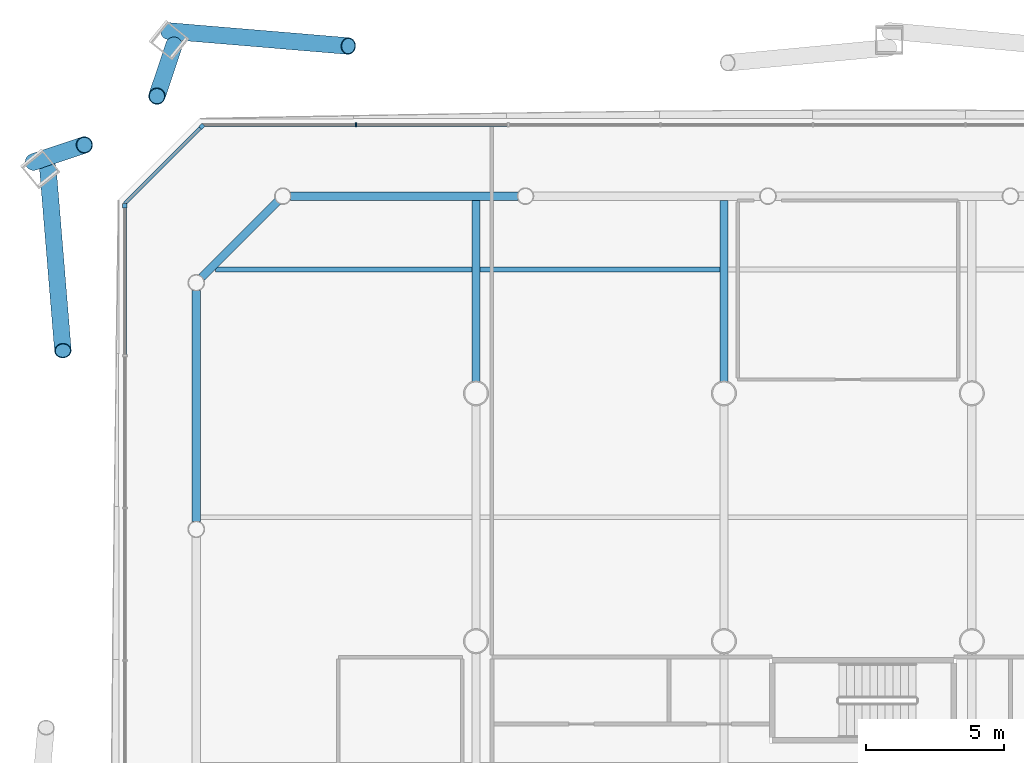
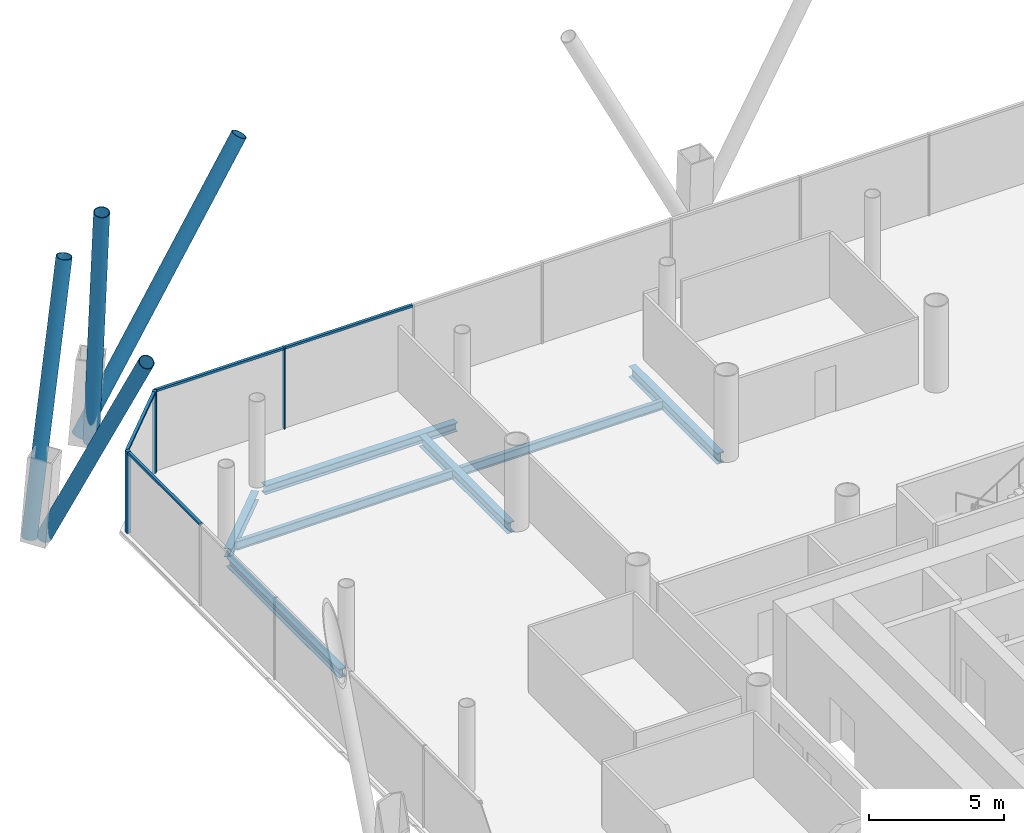
# One storey, part 11 of 25: 11 members, 7 beams, 3 elements without a shape of their own.
"""IFC4 building model written with IfcOpenShell, lengths in metres."""

from ifc_helpers import new_model, si_unit, direction, frame, origin, origin_2d, place, context, subcontext, project, spatial, rectangle, hollow_circle, i_section, extrude, material, material_profile, profile_set, type_object, element, aggregate, save


model = new_model("IFC4")

# Units and contexts
model_context = context("Model", 3, precision=1e-05, world=origin(), true_north=direction((0.0, 1.0)))
body_context = subcontext(model_context, "Body", "Model", "MODEL_VIEW")
ifc_project = project(units=[si_unit("LENGTHUNIT", "METRE"), si_unit("AREAUNIT", "SQUARE_METRE"), si_unit("VOLUMEUNIT", "CUBIC_METRE"), si_unit("PLANEANGLEUNIT", "RADIAN"), si_unit("MASSUNIT", "GRAM", prefix="KILO")], contexts=[model_context])

# Site, building, storey
site_placement = place(None, origin())
site = spatial("IfcSite", under=ifc_project, at=site_placement, CompositionType="ELEMENT")
building_placement = place(site_placement, origin())
building = spatial("IfcBuilding", under=site, at=building_placement, Name="Tskaro Facet Tower", CompositionType="ELEMENT")
storey_placement = place(building_placement, frame((0.0, 0.0, 10.800048828125)))
storey = spatial("IfcBuildingStorey", under=building, at=storey_placement, Name="L01", CompositionType="ELEMENT", Elevation=10.800048828125)

# Members
ifc_material_1 = material(Name="Steel S355J2H", Category="steel")
ifc_material_profile_1 = material_profile(ifc_material_1, hollow_circle(Radius=0.304931640625, WallThickness=0.030029296875, at=origin_2d()), Name="CHS 610x30")
ifc_profile_set_1 = profile_set([ifc_material_profile_1], Name="Steel S355J2H")
member_type_1 = type_object("IfcMemberType", Name="CHS 610x30 brace", PredefinedType="BRACE", material=ifc_profile_set_1)
member_1_placement = place(storey_placement, frame((-29.180908203125, 31.155029296875, 0.0), z_axis=(0.487809665063, -0.040831246537, 0.871994575658), x_axis=(0.083411543722, 0.99651518522, 0.0)))
element("IfcMember", 1, at=member_1_placement, inside=storey, type_object=member_type_1, Name="CHS 610x30 XB08B/1", PredefinedType="BRACE", context=body_context, shape_type="SweptSolid", body=[
    extrude(hollow_circle(Radius=0.304931640625, WallThickness=0.030029296875, at=origin_2d()), origin(), (0.0, 0.0, 1.0), 13.41748046875),
])
for number, where, z_axis, x_axis, name in (
    (2, (-28.96533203125, 30.63427734375, 0.0), (-0.052220393468, -0.155693754903, 0.986424089928), (0.948092540926, -0.317994550017, 0.0), "CHS 610x30 XB09A/1"),
    (3, (-34.065673828125, 26.396728515625, 0.0), (0.155693754903, 0.052220393468, 0.986424089928), (-0.317994550017, 0.948092540926, 0.0), "CHS 610x30 XB09B/1"),
):
    element("IfcMember", number, at=place(storey_placement, frame(where, z_axis=z_axis, x_axis=x_axis)), inside=storey, type_object=member_type_1, Name=name, PredefinedType="BRACE", context=body_context, shape_type="SweptSolid", body=[
        extrude(hollow_circle(Radius=0.304931640625, WallThickness=0.030029296875, at=origin_2d()), origin(), (0.0, 0.0, 1.0), 11.861083984375),
    ])
member_2_placement = place(storey_placement, frame((-33.544921875, 26.180908203125, 0.0), z_axis=(0.040679876712, -0.492873976606, 0.869149233915), x_axis=(0.996611203377, 0.082256363305, 0.0)))
element("IfcMember", 4, at=member_2_placement, inside=storey, type_object=member_type_1, Name="CHS 610x30 XB10A/1", PredefinedType="BRACE", context=body_context, shape_type="SweptSolid", body=[
    extrude(hollow_circle(Radius=0.304931640625, WallThickness=0.030029296875, at=origin_2d()), origin(), (0.0, 0.0, 1.0), 13.46142578125),
])

# Curtain wall, member
ifc_material_2 = material(Name="Bronze anodised aluminium 6063-T6", Category="aluminium")
curtain_wall_type = type_object("IfcCurtainWallType", Name="Bronze office curtain wall (FW1)", PredefinedType="NOTDEFINED", material=ifc_material_2)
curtain_wall_1_placement = place(storey_placement, origin())
curtain_wall_1 = element("IfcCurtainWall", 5, at=curtain_wall_1_placement, inside=storey, type_object=curtain_wall_type, Name="FW1 north-west facet L01", PredefinedType="NOTDEFINED")
ifc_material_profile_2 = material_profile(ifc_material_2, rectangle(XDim=0.159912109375, YDim=0.159912109375, at=origin_2d()), Name="Corner post 160x160")
ifc_profile_set_2 = profile_set([ifc_material_profile_2], Name="Bronze anodised aluminium 6063-T6")
member_type_2 = type_object("IfcMemberType", Name="FW1 bronze corner post 160x160", PredefinedType="MULLION", material=ifc_profile_set_2)
member_3_placement = place(storey_placement, frame((-27.95263671875, 27.693359375, 0.0), z_axis=(0.0, 0.0, 1.0), x_axis=(-0.707106781187, -0.707106781187, 0.0)))
member_3 = element("IfcMember", 6, at=member_3_placement, type_object=member_type_2, Name="FW1 north-west corner post", PredefinedType="MULLION", context=body_context, shape_type="SweptSolid", body=[
    extrude(rectangle(XDim=0.159912109375, YDim=0.159912109375, at=origin_2d()), origin(), (0.0, 0.0, 1.0), 3.699951171875),
])

curtain_wall_2_placement = place(storey_placement, origin())
curtain_wall_2 = element("IfcCurtainWall", 7, at=curtain_wall_2_placement, inside=storey, type_object=curtain_wall_type, Name="FW1 west facet L01", PredefinedType="NOTDEFINED")
member_4_placement = place(storey_placement, frame((-30.75, 24.81591796875, 0.0), z_axis=(0.0, 0.0, 1.0), x_axis=(0.0, -1.0, 0.0)))
member_4 = element("IfcMember", 8, at=member_4_placement, type_object=member_type_2, Name="FW1 west corner post", PredefinedType="MULLION", context=body_context, shape_type="SweptSolid", body=[
    extrude(rectangle(XDim=0.159912109375, YDim=0.159912109375, at=origin_2d()), origin(), (0.0, 0.0, 1.0), 3.699951171875),
])

# Curtain wall, members
curtain_wall_3_placement = place(storey_placement, origin())
curtain_wall_3 = element("IfcCurtainWall", 9, at=curtain_wall_3_placement, inside=storey, type_object=curtain_wall_type, Name="FW1 north facet L01", PredefinedType="NOTDEFINED")
ifc_material_profile_3 = material_profile(ifc_material_2, rectangle(XDim=0.06005859375, YDim=0.159912109375, at=origin_2d()), Name="Mullion 60x160")
ifc_profile_set_3 = profile_set([ifc_material_profile_3], Name="Bronze anodised aluminium 6063-T6")
member_type_3 = type_object("IfcMemberType", Name="FW1 bronze mullion 60x160", PredefinedType="MULLION", material=ifc_profile_set_3)
member_5_placement = place(storey_placement, frame((-22.363525390625, 27.75, 0.0), z_axis=(0.0, 0.0, 1.0), x_axis=(-1.0, 0.0, 0.0)))
member_5 = element("IfcMember", 10, at=member_5_placement, type_object=member_type_3, Name="FW1 north mullion 8", PredefinedType="MULLION", context=body_context, shape_type="SweptSolid", body=[
    extrude(rectangle(XDim=0.06005859375, YDim=0.159912109375, at=origin_2d()), origin(), (0.0, 0.0, 1.0), 3.699951171875),
])
ifc_material_profile_4 = material_profile(ifc_material_2, rectangle(XDim=0.1201171875, YDim=0.10009765625, at=origin_2d()), Name="Transom 120x100")
ifc_profile_set_4 = profile_set([ifc_material_profile_4], Name="Bronze anodised aluminium 6063-T6")
member_type_4 = type_object("IfcMemberType", Name="FW1 bronze transom 120x100", PredefinedType="USERDEFINED", material=ifc_profile_set_4)
member_6_placement = place(storey_placement, frame((-16.861083984375, 27.75, 3.64990234375), z_axis=(-1.0, 0.0, 0.0), x_axis=(0.0, -1.0, 0.0)))
member_6 = element("IfcMember", 11, at=member_6_placement, type_object=member_type_4, Name="FW1 north transom 8.1", ObjectType="TRANSOM", PredefinedType="USERDEFINED", context=body_context, shape_type="SweptSolid", body=[
    extrude(rectangle(XDim=0.1201171875, YDim=0.10009765625, at=origin_2d()), origin(), (0.0, 0.0, 1.0), 5.472412109375),
])
member_7_placement = place(storey_placement, frame((-22.3935546875, 27.75, 3.64990234375), z_axis=(-1.0, 0.0, 0.0), x_axis=(0.0, -1.0, 0.0)))
member_7 = element("IfcMember", 12, at=member_7_placement, type_object=member_type_4, Name="FW1 north transom 9.1", ObjectType="TRANSOM", PredefinedType="USERDEFINED", context=body_context, shape_type="SweptSolid", body=[
    extrude(rectangle(XDim=0.1201171875, YDim=0.10009765625, at=origin_2d()), origin(), (0.0, 0.0, 1.0), 5.50244140625),
])
aggregate(curtain_wall_3, [member_5, member_6, member_7])

# Member
member_8_placement = place(storey_placement, frame((-28.009033203125, 27.636962890625, 3.64990234375), z_axis=(-0.707106781187, -0.707106781187, 0.0), x_axis=(0.707106781187, -0.707106781187, 0.0)))
member_8 = element("IfcMember", 13, at=member_8_placement, type_object=member_type_4, Name="FW1 north-west transom 1.1", ObjectType="TRANSOM", PredefinedType="USERDEFINED", context=body_context, shape_type="SweptSolid", body=[
    extrude(rectangle(XDim=0.1201171875, YDim=0.10009765625, at=origin_2d()), origin(), (0.0, 0.0, 1.0), 3.876220703125),
])

aggregate(curtain_wall_1, [member_3, member_8])

member_9_placement = place(storey_placement, frame((-30.75, 24.736083984375, 3.64990234375), z_axis=(0.0, -1.0, 0.0), x_axis=(1.0, 0.0, 0.0)))
member_9 = element("IfcMember", 14, at=member_9_placement, type_object=member_type_4, Name="FW1 west transom 1.1", ObjectType="TRANSOM", PredefinedType="USERDEFINED", context=body_context, shape_type="SweptSolid", body=[
    extrude(rectangle(XDim=0.1201171875, YDim=0.10009765625, at=origin_2d()), origin(), (0.0, 0.0, 1.0), 5.342529296875),
])

aggregate(curtain_wall_2, [member_4, member_9])

# Beams
ifc_material_3 = material(Name="Steel S355J2", Category="steel")
ifc_material_profile_5 = material_profile(ifc_material_3, i_section(OverallWidth=0.300048828125, OverallDepth=0.39990234375, WebThickness=0.013427734375, FlangeThickness=0.02392578125, FilletRadius=0.027099609375, at=origin_2d()), Name="HE 400 B")
ifc_profile_set_5 = profile_set([ifc_material_profile_5], Name="Steel S355J2")
beam_type_1 = type_object("IfcBeamType", Name="HE 400 B ring beam", PredefinedType="BEAM", material=ifc_profile_set_5)
beam_1_placement = place(storey_placement, frame((-16.48193359375, 25.156982421875, -0.340087890625), z_axis=(-1.0, 0.0, 0.0), x_axis=(0.0, -1.0, 0.0)))
element("IfcBeam", 15, at=beam_1_placement, inside=storey, type_object=beam_type_1, Name="HE 400 B EB18-1", PredefinedType="BEAM", context=body_context, shape_type="SweptSolid", body=[
    extrude(i_section(OverallWidth=0.300048828125, OverallDepth=0.39990234375, WebThickness=0.013427734375, FlangeThickness=0.02392578125, FilletRadius=0.027099609375, at=origin_2d()), origin(), (0.0, 0.0, 1.0), 8.255126953125),
])
beam_2_placement = place(storey_placement, frame((-25.20654296875, 24.962646484375, -0.340087890625), z_axis=(-0.707106781187, -0.707106781187, 0.0), x_axis=(0.707106781187, -0.707106781187, 0.0)))
element("IfcBeam", 16, at=beam_2_placement, inside=storey, type_object=beam_type_1, Name="HE 400 B EB19-1", PredefinedType="BEAM", context=body_context, shape_type="SweptSolid", body=[
    extrude(i_section(OverallWidth=0.300048828125, OverallDepth=0.39990234375, WebThickness=0.013427734375, FlangeThickness=0.02392578125, FilletRadius=0.027099609375, at=origin_2d()), origin(), (0.0, 0.0, 1.0), 3.897705078125),
])
beam_3_placement = place(storey_placement, frame((-28.156982421875, 21.737060546875, -0.340087890625), z_axis=(0.0, -1.0, 0.0), x_axis=(1.0, 0.0, 0.0)))
element("IfcBeam", 17, at=beam_3_placement, inside=storey, type_object=beam_type_1, Name="HE 400 B EB20-1", PredefinedType="BEAM", context=body_context, shape_type="SweptSolid", body=[
    extrude(i_section(OverallWidth=0.300048828125, OverallDepth=0.39990234375, WebThickness=0.013427734375, FlangeThickness=0.02392578125, FilletRadius=0.027099609375, at=origin_2d()), origin(), (0.0, 0.0, 1.0), 8.39794921875),
])
ifc_material_profile_6 = material_profile(ifc_material_3, i_section(OverallWidth=0.300048828125, OverallDepth=0.489990234375, WebThickness=0.011962890625, FlangeThickness=0.02294921875, FilletRadius=0.027099609375, at=origin_2d()), Name="HE 500 A")
ifc_profile_set_6 = profile_set([ifc_material_profile_6], Name="Steel S355J2")
beam_type_2 = type_object("IfcBeamType", Name="HE 500 A girder", PredefinedType="BEAM", material=ifc_profile_set_6)
for number, where, z_axis, x_axis, name in (
    (18, (-18.0, 18.42724609375, -0.385009765625), (0.0, 1.0, 0.0), (-1.0, 0.0, 0.0), "HE 500 A GB2-6-1"),
    (19, (-9.0, 18.42724609375, -0.385009765625), (0.0, 1.0, 0.0), (-1.0, 0.0, 0.0), "HE 500 A GB3-5-1"),
):
    element("IfcBeam", number, at=place(storey_placement, frame(where, z_axis=z_axis, x_axis=x_axis)), inside=storey, type_object=beam_type_2, Name=name, PredefinedType="BEAM", context=body_context, shape_type="SweptSolid", body=[
        extrude(i_section(OverallWidth=0.300048828125, OverallDepth=0.489990234375, WebThickness=0.011962890625, FlangeThickness=0.02294921875, FilletRadius=0.027099609375, at=origin_2d()), origin(), (0.0, 0.0, 1.0), 6.579833984375),
    ])
ifc_material_profile_7 = material_profile(ifc_material_3, i_section(OverallWidth=0.179931640625, OverallDepth=0.39990234375, WebThickness=0.008544921875, FlangeThickness=0.013427734375, FilletRadius=0.02099609375, at=origin_2d()), Name="IPE 400")
ifc_profile_set_7 = profile_set([ifc_material_profile_7], Name="Steel S355J2")
beam_type_3 = type_object("IfcBeamType", Name="IPE 400 secondary beam", PredefinedType="BEAM", material=ifc_profile_set_7)
beam_4_placement = place(storey_placement, frame((-27.45703125, 22.5, -0.340087890625), z_axis=(1.0, 0.0, 0.0), x_axis=(0.0, 1.0, 0.0)))
element("IfcBeam", 20, at=beam_4_placement, inside=storey, type_object=beam_type_3, Name="IPE 400 SB6a-1-1", PredefinedType="BEAM", context=body_context, shape_type="SweptSolid", body=[
    extrude(i_section(OverallWidth=0.179931640625, OverallDepth=0.39990234375, WebThickness=0.008544921875, FlangeThickness=0.013427734375, FilletRadius=0.02099609375, at=origin_2d()), origin(), (0.0, 0.0, 1.0), 9.30712890625),
])
beam_5_placement = place(storey_placement, frame((-17.85009765625, 22.5, -0.340087890625), z_axis=(1.0, 0.0, 0.0), x_axis=(0.0, 1.0, 0.0)))
element("IfcBeam", 21, at=beam_5_placement, inside=storey, type_object=beam_type_3, Name="IPE 400 SB6a-2-1", PredefinedType="BEAM", context=body_context, shape_type="SweptSolid", body=[
    extrude(i_section(OverallWidth=0.179931640625, OverallDepth=0.39990234375, WebThickness=0.008544921875, FlangeThickness=0.013427734375, FilletRadius=0.02099609375, at=origin_2d()), origin(), (0.0, 0.0, 1.0), 8.7001953125),
])

save(model, "model.ifc")
